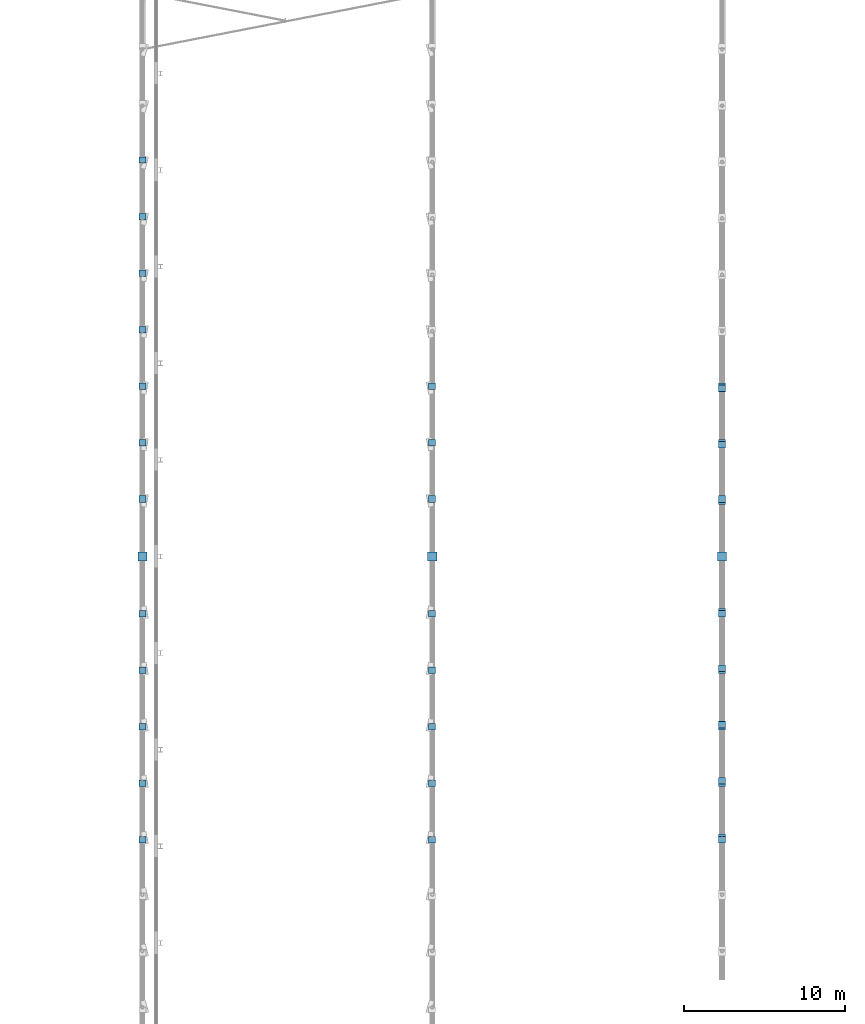
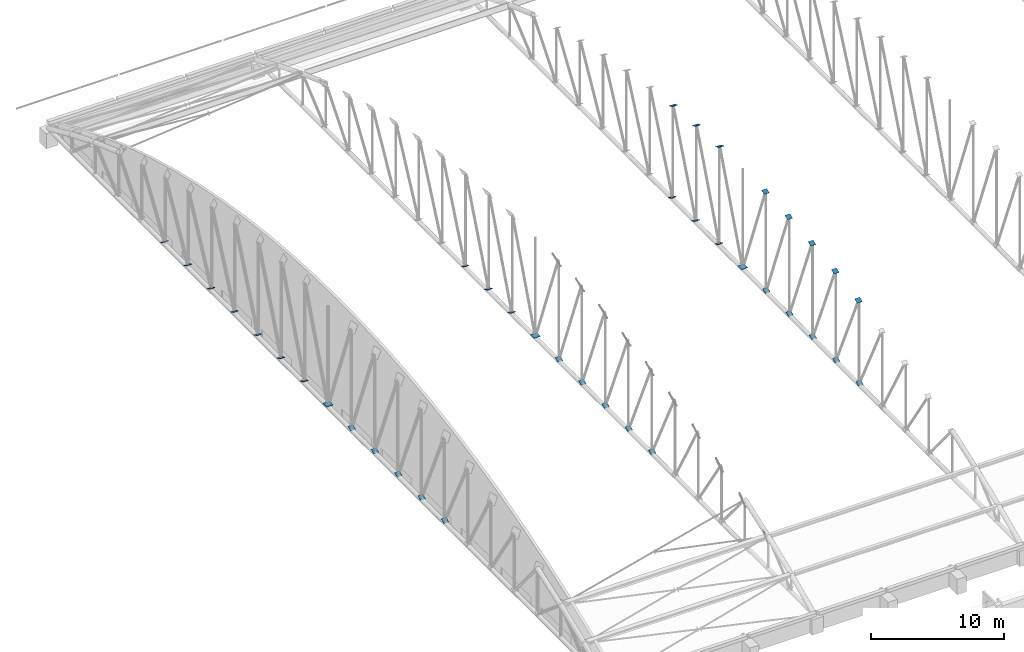
# One storey, part 171 of 196: 39 discrete accessories.
"""IFC4 building model written with IfcOpenShell, lengths in metres."""

from ifc_helpers import new_model, si_unit, direction, frame, origin, origin_2d, place, context, subcontext, project, spatial, rectangle, extrude, material, layer, layer_set, type_object, element, save


model = new_model("IFC4")

# Units and contexts
model_context = context("Model", 3, precision=1e-05, world=origin(), true_north=direction((0.0, 1.0)))
body_context = subcontext(model_context, "Body", "Model", "MODEL_VIEW")
ifc_project = project(units=[si_unit("LENGTHUNIT", "METRE"), si_unit("AREAUNIT", "SQUARE_METRE"), si_unit("VOLUMEUNIT", "CUBIC_METRE"), si_unit("PLANEANGLEUNIT", "RADIAN"), si_unit("MASSUNIT", "GRAM", prefix="KILO")], contexts=[model_context])

# Site, building, storey
site_placement = place(None, origin())
site = spatial("IfcSite", under=ifc_project, at=site_placement, CompositionType="ELEMENT")
building_placement = place(site_placement, origin())
building = spatial("IfcBuilding", under=site, at=building_placement, Name="Okhra Congress Centre", CompositionType="ELEMENT")
storey_placement = place(building_placement, frame((0.0, 0.0, 12.0)))
storey = spatial("IfcBuildingStorey", under=building, at=storey_placement, Name="L02", CompositionType="ELEMENT", Elevation=12.0)

# Discrete accessories
ifc_material = material(Name="Steel S355J2", Category="steel")
ifc_layer = layer(ifc_material, 0.02001953125)
ifc_layer_set = layer_set([ifc_layer], Name="Brace end connection plate 20 mm S355")
discrete_accessory_type = type_object("IfcDiscreteAccessoryType", Name="Brace end connection plate 20 mm S355", PredefinedType="BRACKET", material=ifc_layer_set)
for number, where, z_axis, x_axis, name in (
    (1, (28.0, 156.412841796875, 1.577880859375), (0.0, 0.437465718849, -0.899235088746), (-1.0, 0.0, 0.0), "Brace end connection plate"),
    (2, (28.0, 159.920654296875, 1.577880859375), (0.0, 0.402738614266, -0.915315032423), (-1.0, 0.0, 0.0), "Brace end connection plate"),
    (3, (28.0, 163.426025390625, 1.577880859375), (0.0, 0.377683854905, -0.925934612024), (-1.0, 0.0, 0.0), "Brace end connection plate"),
    (4, (28.0, 166.9296875, 1.577880859375), (0.0, 0.367166534736, -0.930155221331), (-1.0, 0.0, 0.0), "Brace end connection plate"),
):
    element("IfcDiscreteAccessory", number, at=place(storey_placement, frame(where, z_axis=z_axis, x_axis=x_axis)), inside=storey, type_object=discrete_accessory_type, Name=name, PredefinedType="BRACKET", context=body_context, shape_type="SweptSolid", body=[
        extrude(rectangle(XDim=0.43798828125, YDim=0.43798828125, at=origin_2d()), origin(), (0.0, 0.0, 1.0), 0.02001953125),
    ])
discrete_accessory_1_placement = place(storey_placement, frame((28.0, 170.431884765625, 1.577880859375), z_axis=(0.0, 0.363030152722, -0.931777391985), x_axis=(-1.0, 0.0, 0.0)))
element("IfcDiscreteAccessory", 5, at=discrete_accessory_1_placement, inside=storey, type_object=discrete_accessory_type, Name="Brace end connection plate", PredefinedType="BRACKET", context=body_context, shape_type="SweptSolid", body=[
    extrude(rectangle(XDim=0.43798828125, YDim=0.43798828125, at=origin_2d()), origin(), (0.0, 0.0, 1.0), 0.020263671875),
])
discrete_accessory_2_placement = place(storey_placement, frame((28.0, 174.0, 1.577880859375), z_axis=(0.0, 0.0, -1.0), x_axis=(1.0, 0.0, 0.0)))
element("IfcDiscreteAccessory", 6, at=discrete_accessory_2_placement, inside=storey, type_object=discrete_accessory_type, Name="Brace end connection plate", PredefinedType="BRACKET", context=body_context, shape_type="SweptSolid", body=[
    extrude(rectangle(XDim=0.571044921875, YDim=0.571044921875, at=origin_2d()), origin(), (0.0, 0.0, 1.0), 0.02001953125),
])
discrete_accessory_3_placement = place(storey_placement, frame((28.0, 177.568115234375, 1.577880859375), z_axis=(0.0, -0.363030152722, -0.931777391985), x_axis=(1.0, 0.0, 0.0)))
element("IfcDiscreteAccessory", 7, at=discrete_accessory_3_placement, inside=storey, type_object=discrete_accessory_type, Name="Brace end connection plate", PredefinedType="BRACKET", context=body_context, shape_type="SweptSolid", body=[
    extrude(rectangle(XDim=0.43798828125, YDim=0.43798828125, at=origin_2d()), origin(), (0.0, 0.0, 1.0), 0.020263671875),
])
for number, where, z_axis, x_axis, name in (
    (8, (28.0, 181.0703125, 1.577880859375), (0.0, -0.367166534736, -0.930155221331), (1.0, 0.0, 0.0), "Brace end connection plate"),
    (9, (28.0, 184.573974609375, 1.577880859375), (0.0, -0.377683854905, -0.925934612024), (1.0, 0.0, 0.0), "Brace end connection plate"),
    (10, (28.0, 188.079345703125, 1.577880859375), (0.0, -0.402738614266, -0.915315032423), (1.0, 0.0, 0.0), "Brace end connection plate"),
    (11, (28.0, 191.587158203125, 1.577880859375), (0.0, -0.437465718849, -0.899235088746), (1.0, 0.0, 0.0), "Brace end connection plate"),
    (12, (28.0, 195.0986328125, 1.577880859375), (0.0, -0.485642931179, -0.874157276122), (1.0, 0.0, 0.0), "Brace end connection plate"),
    (13, (28.0, 198.61669921875, 1.577880859375), (0.0, -0.546267780547, -0.837610596839), (1.0, 0.0, 0.0), "Brace end connection plate"),
    (14, (46.0, 156.412841796875, 1.577880859375), (0.0, 0.437465718849, -0.899235088746), (-1.0, 0.0, 0.0), "Brace end connection plate"),
    (15, (46.0, 159.920654296875, 1.577880859375), (0.0, 0.402738614266, -0.915315032423), (-1.0, 0.0, 0.0), "Brace end connection plate"),
    (16, (46.0, 163.426025390625, 1.577880859375), (0.0, 0.377683854905, -0.925934612024), (-1.0, 0.0, 0.0), "Brace end connection plate"),
    (17, (46.0, 166.9296875, 1.577880859375), (0.0, 0.367166534736, -0.930155221331), (-1.0, 0.0, 0.0), "Brace end connection plate"),
):
    element("IfcDiscreteAccessory", number, at=place(storey_placement, frame(where, z_axis=z_axis, x_axis=x_axis)), inside=storey, type_object=discrete_accessory_type, Name=name, PredefinedType="BRACKET", context=body_context, shape_type="SweptSolid", body=[
        extrude(rectangle(XDim=0.43798828125, YDim=0.43798828125, at=origin_2d()), origin(), (0.0, 0.0, 1.0), 0.02001953125),
    ])
discrete_accessory_4_placement = place(storey_placement, frame((46.0, 170.431884765625, 1.577880859375), z_axis=(0.0, 0.363030152722, -0.931777391985), x_axis=(-1.0, 0.0, 0.0)))
element("IfcDiscreteAccessory", 18, at=discrete_accessory_4_placement, inside=storey, type_object=discrete_accessory_type, Name="Brace end connection plate", PredefinedType="BRACKET", context=body_context, shape_type="SweptSolid", body=[
    extrude(rectangle(XDim=0.43798828125, YDim=0.43798828125, at=origin_2d()), origin(), (0.0, 0.0, 1.0), 0.020263671875),
])
discrete_accessory_5_placement = place(storey_placement, frame((46.0, 174.0, 1.577880859375), z_axis=(0.0, 0.0, -1.0), x_axis=(1.0, 0.0, 0.0)))
element("IfcDiscreteAccessory", 19, at=discrete_accessory_5_placement, inside=storey, type_object=discrete_accessory_type, Name="Brace end connection plate", PredefinedType="BRACKET", context=body_context, shape_type="SweptSolid", body=[
    extrude(rectangle(XDim=0.571044921875, YDim=0.571044921875, at=origin_2d()), origin(), (0.0, 0.0, 1.0), 0.02001953125),
])
discrete_accessory_6_placement = place(storey_placement, frame((46.0, 177.568115234375, 1.577880859375), z_axis=(0.0, -0.363030152722, -0.931777391985), x_axis=(1.0, 0.0, 0.0)))
element("IfcDiscreteAccessory", 20, at=discrete_accessory_6_placement, inside=storey, type_object=discrete_accessory_type, Name="Brace end connection plate", PredefinedType="BRACKET", context=body_context, shape_type="SweptSolid", body=[
    extrude(rectangle(XDim=0.43798828125, YDim=0.43798828125, at=origin_2d()), origin(), (0.0, 0.0, 1.0), 0.020263671875),
])
for number, where, z_axis, x_axis, name in (
    (21, (46.0, 181.0703125, 1.577880859375), (0.0, -0.367166534736, -0.930155221331), (1.0, 0.0, 0.0), "Brace end connection plate"),
    (22, (46.0, 184.573974609375, 1.577880859375), (0.0, -0.377683854905, -0.925934612024), (1.0, 0.0, 0.0), "Brace end connection plate"),
    (23, (64.0, 156.412841796875, 1.577880859375), (0.0, 0.437465718849, -0.899235088746), (-1.0, 0.0, 0.0), "Brace end connection plate"),
    (24, (64.0, 156.57763671875, 9.0595703125), (0.0, -0.402738614266, 0.915315032423), (1.0, 0.0, 0.0), "Brace end connection plate"),
    (25, (64.0, 159.920654296875, 1.577880859375), (0.0, 0.402738614266, -0.915315032423), (-1.0, 0.0, 0.0), "Brace end connection plate"),
    (26, (64.0, 160.073486328125, 9.6240234375), (0.0, -0.388057000058, 0.921635375138), (1.0, 0.0, 0.0), "Brace end connection plate"),
    (27, (64.0, 163.426025390625, 1.577880859375), (0.0, 0.377683854905, -0.925934612024), (-1.0, 0.0, 0.0), "Brace end connection plate"),
    (28, (64.0, 163.570556640625, 10.060546875), (0.0, -0.367166534736, 0.930155221331), (1.0, 0.0, 0.0), "Brace end connection plate"),
    (29, (64.0, 166.9296875, 1.577880859375), (0.0, 0.367166534736, -0.930155221331), (-1.0, 0.0, 0.0), "Brace end connection plate"),
    (30, (64.0, 167.069091796875, 10.37060546875), (0.0, -0.367166534736, 0.930155221331), (1.0, 0.0, 0.0), "Brace end connection plate"),
):
    element("IfcDiscreteAccessory", number, at=place(storey_placement, frame(where, z_axis=z_axis, x_axis=x_axis)), inside=storey, type_object=discrete_accessory_type, Name=name, PredefinedType="BRACKET", context=body_context, shape_type="SweptSolid", body=[
        extrude(rectangle(XDim=0.43798828125, YDim=0.43798828125, at=origin_2d()), origin(), (0.0, 0.0, 1.0), 0.02001953125),
    ])
discrete_accessory_7_placement = place(storey_placement, frame((64.0, 170.431884765625, 1.577880859375), z_axis=(0.0, 0.363030152722, -0.931777391985), x_axis=(-1.0, 0.0, 0.0)))
element("IfcDiscreteAccessory", 31, at=discrete_accessory_7_placement, inside=storey, type_object=discrete_accessory_type, Name="Brace end connection plate", PredefinedType="BRACKET", context=body_context, shape_type="SweptSolid", body=[
    extrude(rectangle(XDim=0.43798828125, YDim=0.43798828125, at=origin_2d()), origin(), (0.0, 0.0, 1.0), 0.020263671875),
])
discrete_accessory_8_placement = place(storey_placement, frame((64.0, 170.568359375, 10.55517578125), z_axis=(0.0, -0.341743063087, 0.939793423488), x_axis=(1.0, 0.0, 0.0)))
element("IfcDiscreteAccessory", 32, at=discrete_accessory_8_placement, inside=storey, type_object=discrete_accessory_type, Name="Brace end connection plate", PredefinedType="BRACKET", context=body_context, shape_type="SweptSolid", body=[
    extrude(rectangle(XDim=0.43798828125, YDim=0.43798828125, at=origin_2d()), origin(), (0.0, 0.0, 1.0), 0.02001953125),
])
discrete_accessory_9_placement = place(storey_placement, frame((64.0, 174.0, 1.577880859375), z_axis=(0.0, 0.0, -1.0), x_axis=(1.0, 0.0, 0.0)))
element("IfcDiscreteAccessory", 33, at=discrete_accessory_9_placement, inside=storey, type_object=discrete_accessory_type, Name="Brace end connection plate", PredefinedType="BRACKET", context=body_context, shape_type="SweptSolid", body=[
    extrude(rectangle(XDim=0.571044921875, YDim=0.571044921875, at=origin_2d()), origin(), (0.0, 0.0, 1.0), 0.02001953125),
])
for number, where, z_axis, x_axis, name in (
    (34, (64.0, 177.431640625, 10.55517578125), (0.0, 0.341743063087, 0.939793423488), (-1.0, 0.0, 0.0), "Brace end connection plate"),
    (35, (64.0, 180.930908203125, 10.37060546875), (0.0, 0.367166534736, 0.930155221331), (-1.0, 0.0, 0.0), "Brace end connection plate"),
):
    element("IfcDiscreteAccessory", number, at=place(storey_placement, frame(where, z_axis=z_axis, x_axis=x_axis)), inside=storey, type_object=discrete_accessory_type, Name=name, PredefinedType="BRACKET", context=body_context, shape_type="SweptSolid", body=[
        extrude(rectangle(XDim=0.43798828125, YDim=0.43798828125, at=origin_2d()), origin(), (0.0, 0.0, 1.0), 0.02001953125),
    ])
discrete_accessory_10_placement = place(storey_placement, frame((64.0, 177.568115234375, 1.577880859375), z_axis=(0.0, -0.363030152722, -0.931777391985), x_axis=(1.0, 0.0, 0.0)))
element("IfcDiscreteAccessory", 36, at=discrete_accessory_10_placement, inside=storey, type_object=discrete_accessory_type, Name="Brace end connection plate", PredefinedType="BRACKET", context=body_context, shape_type="SweptSolid", body=[
    extrude(rectangle(XDim=0.43798828125, YDim=0.43798828125, at=origin_2d()), origin(), (0.0, 0.0, 1.0), 0.020263671875),
])
for number, where, z_axis, x_axis, name in (
    (37, (64.0, 184.429443359375, 10.060546875), (0.0, 0.367166534736, 0.930155221331), (-1.0, 0.0, 0.0), "Brace end connection plate"),
    (38, (64.0, 181.0703125, 1.577880859375), (0.0, -0.367166534736, -0.930155221331), (1.0, 0.0, 0.0), "Brace end connection plate"),
    (39, (64.0, 184.573974609375, 1.577880859375), (0.0, -0.377683854905, -0.925934612024), (1.0, 0.0, 0.0), "Brace end connection plate"),
):
    element("IfcDiscreteAccessory", number, at=place(storey_placement, frame(where, z_axis=z_axis, x_axis=x_axis)), inside=storey, type_object=discrete_accessory_type, Name=name, PredefinedType="BRACKET", context=body_context, shape_type="SweptSolid", body=[
        extrude(rectangle(XDim=0.43798828125, YDim=0.43798828125, at=origin_2d()), origin(), (0.0, 0.0, 1.0), 0.02001953125),
    ])

save(model, "model.ifc")
